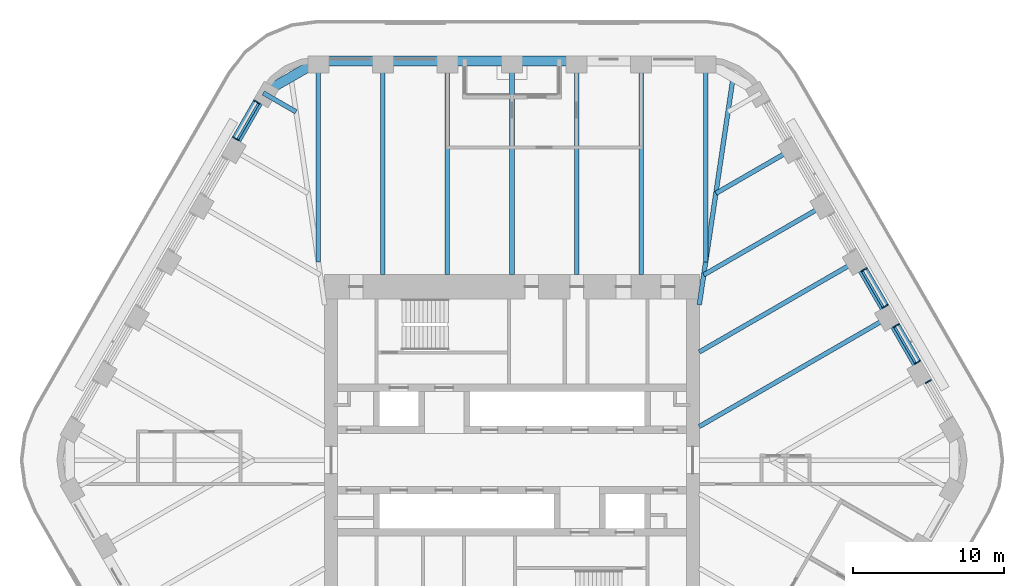
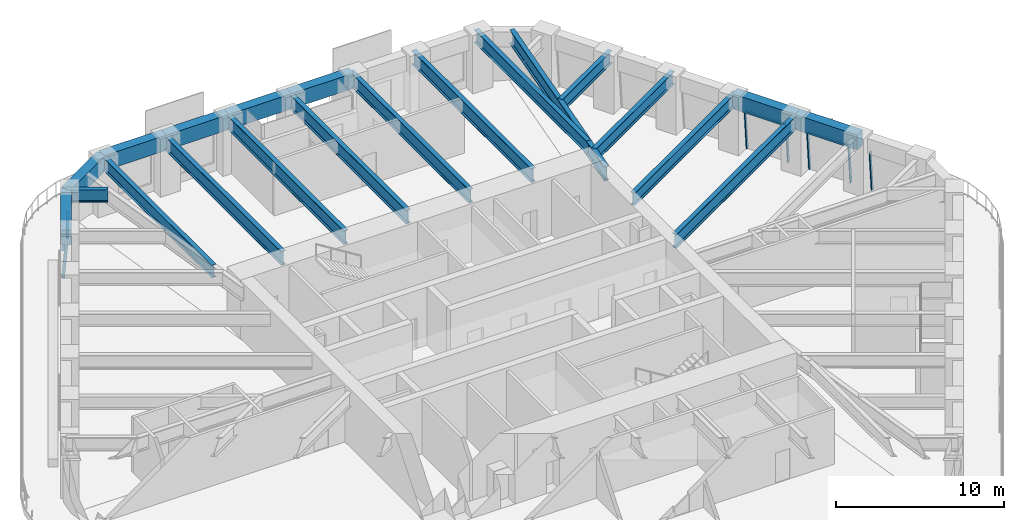
# One storey, part 9 of 19: 21 beams, 10 members, 4 elements without a shape of their own.
"""IFC4 building model written with IfcOpenShell, lengths in metres."""

from ifc_helpers import new_model, si_unit, direction, frame, origin, origin_2d, place, context, subcontext, project, spatial, rectangle, i_section, extrude, material, material_profile, profile_set, type_object, element, aggregate, save


model = new_model("IFC4")

# Units and contexts
model_context = context("Model", 3, precision=1e-05, world=origin(), true_north=direction((0.0, 1.0)))
body_context = subcontext(model_context, "Body", "Model", "MODEL_VIEW")
ifc_project = project(units=[si_unit("LENGTHUNIT", "METRE"), si_unit("AREAUNIT", "SQUARE_METRE"), si_unit("VOLUMEUNIT", "CUBIC_METRE"), si_unit("PLANEANGLEUNIT", "RADIAN"), si_unit("MASSUNIT", "GRAM", prefix="KILO")], contexts=[model_context])

# Site, building, storey
site_placement = place(None, origin())
site = spatial("IfcSite", under=ifc_project, at=site_placement, CompositionType="ELEMENT")
building_placement = place(site_placement, origin())
building = spatial("IfcBuilding", under=site, at=building_placement, Name="Tarfa Lantern Tower", CompositionType="ELEMENT")
storey_placement = place(building_placement, frame((0.0, 0.0, 328.300048828125)))
storey = spatial("IfcBuildingStorey", under=building, at=storey_placement, Name="L74", CompositionType="ELEMENT", Elevation=328.300048828125)

# Curtain wall, member
ifc_material_1 = material(Name="Aluminium framed curtain wall", Category="aluminium")
curtain_wall_type = type_object("IfcCurtainWallType", Name="CW4 CANTED GLAZING EXECUTIVE ZONE 2900", PredefinedType="USERDEFINED", material=ifc_material_1)
curtain_wall_1_placement = place(storey_placement, origin())
curtain_wall_1 = element("IfcCurtainWall", 1, at=curtain_wall_1_placement, inside=storey, type_object=curtain_wall_type, Name="CW4 NE L74", ObjectType="CURTAIN WALL", PredefinedType="USERDEFINED")
ifc_material_2 = material(Name="Aluminium mullion", Category="aluminium")
ifc_material_profile_1 = material_profile(ifc_material_2, rectangle(XDim=0.06494140625, YDim=0.199951171875, at=origin_2d()), Name="AL MULLION 65x200")
ifc_profile_set_1 = profile_set([ifc_material_profile_1], Name="Aluminium mullion")
member_type_1 = type_object("IfcMemberType", Name="CWM1 MULLION 65x200", PredefinedType="MULLION", material=ifc_profile_set_1)
member_1_placement = place(storey_placement, frame((27.727783203125, 5.27392578125, 0.0), z_axis=(-0.074399820079, -0.042945555672, 0.996303340364), x_axis=(0.499919672301, -0.866071776036, 0.0)))
member_1 = element("IfcMember", 2, at=member_1_placement, type_object=member_type_1, Name="CW4 mullion 2", PredefinedType="MULLION", context=body_context, shape_type="SweptSolid", body=[
    extrude(rectangle(XDim=0.06494140625, YDim=0.199951171875, at=origin_2d()), origin(), (0.0, 0.0, 1.0), 2.91064453125),
])
aggregate(curtain_wall_1, [member_1])

# Curtain wall, members
curtain_wall_2_placement = place(storey_placement, origin())
curtain_wall_2 = element("IfcCurtainWall", 3, at=curtain_wall_2_placement, inside=storey, type_object=curtain_wall_type, Name="CW4 NE L74", ObjectType="CURTAIN WALL", PredefinedType="USERDEFINED")
member_2_placement = place(storey_placement, frame((26.995361328125, 6.542724609375, 0.0), z_axis=(-0.074399820079, -0.042945555672, 0.996303340364), x_axis=(0.499919672301, -0.866071776036, 0.0)))
member_2 = element("IfcMember", 4, at=member_2_placement, type_object=member_type_1, Name="CW4 mullion 1", PredefinedType="MULLION", context=body_context, shape_type="SweptSolid", body=[
    extrude(rectangle(XDim=0.06494140625, YDim=0.199951171875, at=origin_2d()), origin(), (0.0, 0.0, 1.0), 2.91064453125),
])
member_3_placement = place(storey_placement, frame((25.5869140625, 8.982421875, 0.0), z_axis=(-0.074399820079, -0.042945555672, 0.996303340364), x_axis=(0.499919672301, -0.866071776036, 0.0)))
member_3 = element("IfcMember", 5, at=member_3_placement, type_object=member_type_1, Name="CW4 mullion 2", PredefinedType="MULLION", context=body_context, shape_type="SweptSolid", body=[
    extrude(rectangle(XDim=0.06494140625, YDim=0.199951171875, at=origin_2d()), origin(), (0.0, 0.0, 1.0), 2.91064453125),
])

curtain_wall_3_placement = place(storey_placement, origin())
curtain_wall_3 = element("IfcCurtainWall", 6, at=curtain_wall_3_placement, inside=storey, type_object=curtain_wall_type, Name="CW4 NE L74", ObjectType="CURTAIN WALL", PredefinedType="USERDEFINED")
member_4_placement = place(storey_placement, frame((24.854248046875, 10.2509765625, 0.0), z_axis=(-0.074316405553, -0.042945823525, 0.996309554359), x_axis=(0.500342721131, -0.865827443207, 0.0)))
member_4 = element("IfcMember", 7, at=member_4_placement, type_object=member_type_1, Name="CW4 mullion 1", PredefinedType="MULLION", context=body_context, shape_type="SweptSolid", body=[
    extrude(rectangle(XDim=0.06494140625, YDim=0.199951171875, at=origin_2d()), origin(), (0.0, 0.0, 1.0), 2.91064453125),
])
member_5_placement = place(storey_placement, frame((23.44580078125, 12.690673828125, 0.0), z_axis=(-0.074399820079, -0.042945555672, 0.996303340364), x_axis=(0.499919672301, -0.866071776036, 0.0)))
member_5 = element("IfcMember", 8, at=member_5_placement, type_object=member_type_1, Name="CW4 mullion 2", PredefinedType="MULLION", context=body_context, shape_type="SweptSolid", body=[
    extrude(rectangle(XDim=0.06494140625, YDim=0.199951171875, at=origin_2d()), origin(), (0.0, 0.0, 1.0), 2.91064453125),
])

curtain_wall_4_placement = place(storey_placement, origin())
curtain_wall_4 = element("IfcCurtainWall", 9, at=curtain_wall_4_placement, inside=storey, type_object=curtain_wall_type, Name="CW4 NW L74", ObjectType="CURTAIN WALL", PredefinedType="USERDEFINED")
member_6_placement = place(storey_placement, frame((-17.022705078125, 23.815673828125, 0.0), z_axis=(0.074316405553, -0.042945823525, 0.996309554359), x_axis=(0.500342721131, 0.865827443207, 0.0)))
member_6 = element("IfcMember", 10, at=member_6_placement, type_object=member_type_1, Name="CW4 mullion 1", PredefinedType="MULLION", context=body_context, shape_type="SweptSolid", body=[
    extrude(rectangle(XDim=0.06494140625, YDim=0.199951171875, at=origin_2d()), origin(), (0.0, 0.0, 1.0), 2.91064453125),
])
member_7_placement = place(storey_placement, frame((-18.431396484375, 21.3759765625, 0.0), z_axis=(0.074399820079, -0.042945555672, 0.996303340364), x_axis=(0.499919672301, 0.866071776036, 0.0)))
member_7 = element("IfcMember", 11, at=member_7_placement, type_object=member_type_1, Name="CW4 mullion 2", PredefinedType="MULLION", context=body_context, shape_type="SweptSolid", body=[
    extrude(rectangle(XDim=0.06494140625, YDim=0.199951171875, at=origin_2d()), origin(), (0.0, 0.0, 1.0), 2.91064453125),
])

# Member
ifc_material_3 = material(Name="Aluminium transom", Category="aluminium")
ifc_material_profile_2 = material_profile(ifc_material_3, rectangle(XDim=0.14990234375, YDim=0.06494140625, at=origin_2d()), Name="AL TRANSOM 150x65")
ifc_profile_set_2 = profile_set([ifc_material_profile_2], Name="Aluminium transom")
member_type_2 = type_object("IfcMemberType", Name="CWT1 TRANSOM 150x65", PredefinedType="USERDEFINED", material=ifc_profile_set_2)
member_8_placement = place(storey_placement, frame((26.764892578125, 6.447265625, 2.867431640625), z_axis=(-0.499993790352, 0.866028988896, 0.0), x_axis=(-0.866028988896, -0.499993790352, 0.0)))
member_8 = element("IfcMember", 12, at=member_8_placement, type_object=member_type_2, Name="CW4 transom 1.2", ObjectType="TRANSOM", PredefinedType="USERDEFINED", context=body_context, shape_type="SweptSolid", body=[
    extrude(rectangle(XDim=0.14990234375, YDim=0.06494140625, at=origin_2d()), origin(), (0.0, 0.0, 1.0), 2.751953125),
])

aggregate(curtain_wall_2, [member_2, member_3, member_8])

member_9_placement = place(storey_placement, frame((24.6240234375, 10.155517578125, 2.867431640625), z_axis=(-0.499993790352, 0.866028988896, 0.0), x_axis=(-0.866028988896, -0.499993790352, 0.0)))
member_9 = element("IfcMember", 13, at=member_9_placement, type_object=member_type_2, Name="CW4 transom 1.2", ObjectType="TRANSOM", PredefinedType="USERDEFINED", context=body_context, shape_type="SweptSolid", body=[
    extrude(rectangle(XDim=0.14990234375, YDim=0.06494140625, at=origin_2d()), origin(), (0.0, 0.0, 1.0), 2.751953125),
])

aggregate(curtain_wall_3, [member_4, member_5, member_9])

member_10_placement = place(storey_placement, frame((-16.824951171875, 23.663818359375, 2.867431640625), z_axis=(-0.499993790352, -0.866028988896, 0.0), x_axis=(0.866028988896, -0.499993790352, 0.0)))
member_10 = element("IfcMember", 14, at=member_10_placement, type_object=member_type_2, Name="CW4 transom 1.2", ObjectType="TRANSOM", PredefinedType="USERDEFINED", context=body_context, shape_type="SweptSolid", body=[
    extrude(rectangle(XDim=0.14990234375, YDim=0.06494140625, at=origin_2d()), origin(), (0.0, 0.0, 1.0), 2.751953125),
])

aggregate(curtain_wall_4, [member_6, member_7, member_10])

# Beams
ifc_material_4 = material(Name="Concrete C80/95", Category="concrete")
ifc_material_profile_3 = material_profile(ifc_material_4, rectangle(XDim=0.64990234375, YDim=1.10009765625, at=origin_2d()), Name="RC 650x1100")
ifc_profile_set_3 = profile_set([ifc_material_profile_3], Name="Concrete C80/95")
beam_type_1 = type_object("IfcBeamType", Name="EB4 RC 650x1100", PredefinedType="SPANDREL", material=ifc_profile_set_3)
beam_1_placement = place(storey_placement, frame((27.205810546875, 5.818359375, 3.449951171875), z_axis=(-0.500026801138, 0.866009929587, 0.0), x_axis=(-0.866009929587, -0.500026801138, 0.0)))
element("IfcBeam", 15, at=beam_1_placement, inside=storey, type_object=beam_type_1, Name="Edge beam NE1", PredefinedType="SPANDREL", context=body_context, shape_type="SweptSolid", body=[
    extrude(rectangle(XDim=0.64990234375, YDim=1.10009765625, at=origin_2d()), origin(), (0.0, 0.0, 1.0), 4.281982421875),
])
beam_2_placement = place(storey_placement, frame((25.064697265625, 9.526611328125, 3.449951171875), z_axis=(-0.500002112793, 0.866024183959, 0.0), x_axis=(-0.866024183959, -0.500002112793, 0.0)))
element("IfcBeam", 16, at=beam_2_placement, inside=storey, type_object=beam_type_1, Name="Edge beam NE2", PredefinedType="SPANDREL", context=body_context, shape_type="SweptSolid", body=[
    extrude(rectangle(XDim=0.64990234375, YDim=1.10009765625, at=origin_2d()), origin(), (0.0, 0.0, 1.0), 4.2822265625),
])
for number, where, z_axis, x_axis, name in (
    (17, (4.281982421875, 26.469970703125, 3.449951171875), (-1.0, 0.0, 0.0), (0.0, -1.0, 0.0), "Edge beam N2"),
    (18, (0.0, 26.469970703125, 3.449951171875), (-1.0, 0.0, 0.0), (0.0, -1.0, 0.0), "Edge beam N3"),
    (19, (-4.281982421875, 26.469970703125, 3.449951171875), (-1.0, 0.0, 0.0), (0.0, -1.0, 0.0), "Edge beam N4"),
    (20, (-8.56396484375, 26.469970703125, 3.449951171875), (-1.0, 0.0, 0.0), (0.0, -1.0, 0.0), "Edge beam N5"),
):
    element("IfcBeam", number, at=place(storey_placement, frame(where, z_axis=z_axis, x_axis=x_axis)), inside=storey, type_object=beam_type_1, Name=name, PredefinedType="SPANDREL", context=body_context, shape_type="SweptSolid", body=[
        extrude(rectangle(XDim=0.64990234375, YDim=1.10009765625, at=origin_2d()), origin(), (0.0, 0.0, 1.0), 4.281982421875),
    ])
beam_3_placement = place(storey_placement, frame((-12.845947265625, 26.469970703125, 3.449951171875), z_axis=(-0.866048788483, -0.499959494327, 0.0), x_axis=(0.499959494327, -0.866048788483, 0.0)))
element("IfcBeam", 21, at=beam_3_placement, inside=storey, type_object=beam_type_1, Name="Edge beam N6", PredefinedType="SPANDREL", context=body_context, shape_type="SweptSolid", body=[
    extrude(rectangle(XDim=0.64990234375, YDim=1.10009765625, at=origin_2d()), origin(), (0.0, 0.0, 1.0), 4.219970703125),
])
beam_4_placement = place(storey_placement, frame((-16.500732421875, 24.360107421875, 3.449951171875), z_axis=(-0.499959351497, -0.866048870937, 0.0), x_axis=(0.866048870937, -0.499959351497, 0.0)))
element("IfcBeam", 22, at=beam_4_placement, inside=storey, type_object=beam_type_1, Name="Edge beam NW0", PredefinedType="SPANDREL", context=body_context, shape_type="SweptSolid", body=[
    extrude(rectangle(XDim=0.64990234375, YDim=1.10009765625, at=origin_2d()), origin(), (0.0, 0.0, 1.0), 4.281982421875),
])
ifc_material_5 = material(Name="Steel S460M", Category="steel")
ifc_material_profile_4 = material_profile(ifc_material_5, i_section(OverallWidth=0.302001953125, OverallDepth=1.008056640625, WebThickness=0.02099609375, FlangeThickness=0.0400390625, FilletRadius=0.030029296875, at=origin_2d()), Name="UB1016x305x349")
ifc_profile_set_4 = profile_set([ifc_material_profile_4], Name="Steel S460M")
beam_type_2 = type_object("IfcBeamType", Name="UB1016x305x349", PredefinedType="BEAM", material=ifc_profile_set_4)
beam_5_placement = place(storey_placement, frame((25.064697265625, 9.526611328125, 3.495849609375), z_axis=(-0.866029591389, -0.499992746786, 0.0), x_axis=(0.499992746786, -0.866029591389, 0.0)))
element("IfcBeam", 23, at=beam_5_placement, inside=storey, type_object=beam_type_2, Name="Floor beam NE2", PredefinedType="BEAM", context=body_context, shape_type="SweptSolid", body=[
    extrude(i_section(OverallWidth=0.302001953125, OverallDepth=1.008056640625, WebThickness=0.02099609375, FlangeThickness=0.0400390625, FilletRadius=0.030029296875, at=origin_2d()), origin(), (0.0, 0.0, 1.0), 14.594970703125),
])
for number, where, z_axis, x_axis, name in (
    (24, (8.56396484375, 26.469970703125, 3.495849609375), (0.0, -1.0, 0.0), (1.0, 0.0, 0.0), "Floor beam N1"),
    (25, (4.281982421875, 26.469970703125, 3.495849609375), (0.0, -1.0, 0.0), (1.0, 0.0, 0.0), "Floor beam N2"),
    (26, (0.0, 26.469970703125, 3.495849609375), (0.0, -1.0, 0.0), (1.0, 0.0, 0.0), "Floor beam N3"),
    (27, (-4.281982421875, 26.469970703125, 3.495849609375), (0.0, -1.0, 0.0), (1.0, 0.0, 0.0), "Floor beam N4"),
    (28, (-8.56396484375, 26.469970703125, 3.495849609375), (0.0, -1.0, 0.0), (1.0, 0.0, 0.0), "Floor beam N5"),
):
    element("IfcBeam", number, at=place(storey_placement, frame(where, z_axis=z_axis, x_axis=x_axis)), inside=storey, type_object=beam_type_2, Name=name, PredefinedType="BEAM", context=body_context, shape_type="SweptSolid", body=[
        extrude(i_section(OverallWidth=0.302001953125, OverallDepth=1.008056640625, WebThickness=0.02099609375, FlangeThickness=0.0400390625, FilletRadius=0.030029296875, at=origin_2d()), origin(), (0.0, 0.0, 1.0), 14.169921875),
    ])
ifc_material_profile_5 = material_profile(ifc_material_5, i_section(OverallWidth=0.30859375, OverallDepth=1.036376953125, WebThickness=0.030029296875, FlangeThickness=0.05419921875, FilletRadius=0.030029296875, at=origin_2d()), Name="UB1016x305x487")
ifc_profile_set_5 = profile_set([ifc_material_profile_5], Name="Steel S460M")
beam_type_3 = type_object("IfcBeamType", Name="UB1016x305x487", PredefinedType="BEAM", material=ifc_profile_set_5)
beam_6_placement = place(storey_placement, frame((12.425048828125, 10.300048828125, 3.481689453125), z_axis=(0.147127069073, 0.989117599452, 0.0), x_axis=(-0.989117599452, 0.147127069073, 0.0)))
element("IfcBeam", 29, at=beam_6_placement, inside=storey, type_object=beam_type_3, Name="Hip girder NE", PredefinedType="BEAM", context=body_context, shape_type="SweptSolid", body=[
    extrude(i_section(OverallWidth=0.30859375, OverallDepth=1.036376953125, WebThickness=0.030029296875, FlangeThickness=0.05419921875, FilletRadius=0.030029296875, at=origin_2d()), origin(), (0.0, 0.0, 1.0), 15.28125),
])
ifc_material_profile_6 = material_profile(ifc_material_5, i_section(OverallWidth=0.305419921875, OverallDepth=0.91845703125, WebThickness=0.017333984375, FlangeThickness=0.02783203125, FilletRadius=0.01904296875, at=origin_2d()), Name="UB914x305x253")
ifc_profile_set_6 = profile_set([ifc_material_profile_6], Name="Steel S460M")
beam_type_4 = type_object("IfcBeamType", Name="UB914x305x253", PredefinedType="BEAM", material=ifc_profile_set_6)
beam_7_placement = place(storey_placement, frame((22.923583984375, 13.235107421875, 3.540771484375), z_axis=(-0.86601856927, -0.500011837539, 0.0), x_axis=(0.500011837539, -0.86601856927, 0.0)))
element("IfcBeam", 30, at=beam_7_placement, inside=storey, type_object=beam_type_4, Name="Floor beam NE3", PredefinedType="BEAM", context=body_context, shape_type="SweptSolid", body=[
    extrude(i_section(OverallWidth=0.305419921875, OverallDepth=0.91845703125, WebThickness=0.017333984375, FlangeThickness=0.02783203125, FilletRadius=0.01904296875, at=origin_2d()), origin(), (0.0, 0.0, 1.0), 12.122802734375),
])
beam_8_placement = place(storey_placement, frame((20.78271484375, 16.943359375, 3.540771484375), z_axis=(-0.866021806508, -0.500006230613, 0.0), x_axis=(0.500006230613, -0.866021806508, 0.0)))
element("IfcBeam", 31, at=beam_8_placement, inside=storey, type_object=beam_type_4, Name="Floor beam NE4", PredefinedType="BEAM", context=body_context, shape_type="SweptSolid", body=[
    extrude(i_section(OverallWidth=0.305419921875, OverallDepth=0.91845703125, WebThickness=0.017333984375, FlangeThickness=0.02783203125, FilletRadius=0.01904296875, at=origin_2d()), origin(), (0.0, 0.0, 1.0), 9.30908203125),
])
beam_9_placement = place(storey_placement, frame((18.6416015625, 20.651611328125, 3.540771484375), z_axis=(-0.866024549157, -0.500001480256, 0.0), x_axis=(0.500001480256, -0.866024549157, 0.0)))
element("IfcBeam", 32, at=beam_9_placement, inside=storey, type_object=beam_type_4, Name="Floor beam NE5", PredefinedType="BEAM", context=body_context, shape_type="SweptSolid", body=[
    extrude(i_section(OverallWidth=0.305419921875, OverallDepth=0.91845703125, WebThickness=0.017333984375, FlangeThickness=0.02783203125, FilletRadius=0.01904296875, at=origin_2d()), origin(), (0.0, 0.0, 1.0), 5.90771484375),
])
for number, where, z_axis, x_axis, name in (
    (33, (12.845947265625, 26.469970703125, 3.540771484375), (0.0, -1.0, 0.0), (1.0, 0.0, 0.0), "Floor beam N0"),
    (34, (-12.845947265625, 26.469970703125, 3.540771484375), (0.0, -1.0, 0.0), (1.0, 0.0, 0.0), "Floor beam N6"),
):
    element("IfcBeam", number, at=place(storey_placement, frame(where, z_axis=z_axis, x_axis=x_axis)), inside=storey, type_object=beam_type_4, Name=name, PredefinedType="BEAM", context=body_context, shape_type="SweptSolid", body=[
        extrude(i_section(OverallWidth=0.305419921875, OverallDepth=0.91845703125, WebThickness=0.017333984375, FlangeThickness=0.02783203125, FilletRadius=0.01904296875, at=origin_2d()), origin(), (0.0, 0.0, 1.0), 13.33935546875),
    ])
beam_10_placement = place(storey_placement, frame((-16.500732421875, 24.360107421875, 3.540771484375), z_axis=(0.865992557167, -0.500056887695, 0.0), x_axis=(0.500056887695, 0.865992557167, 0.0)))
element("IfcBeam", 35, at=beam_10_placement, inside=storey, type_object=beam_type_4, Name="Floor beam NW0", PredefinedType="BEAM", context=body_context, shape_type="SweptSolid", body=[
    extrude(i_section(OverallWidth=0.305419921875, OverallDepth=0.91845703125, WebThickness=0.017333984375, FlangeThickness=0.02783203125, FilletRadius=0.01904296875, at=origin_2d()), origin(), (0.0, 0.0, 1.0), 2.506591796875),
])

save(model, "model.ifc")
